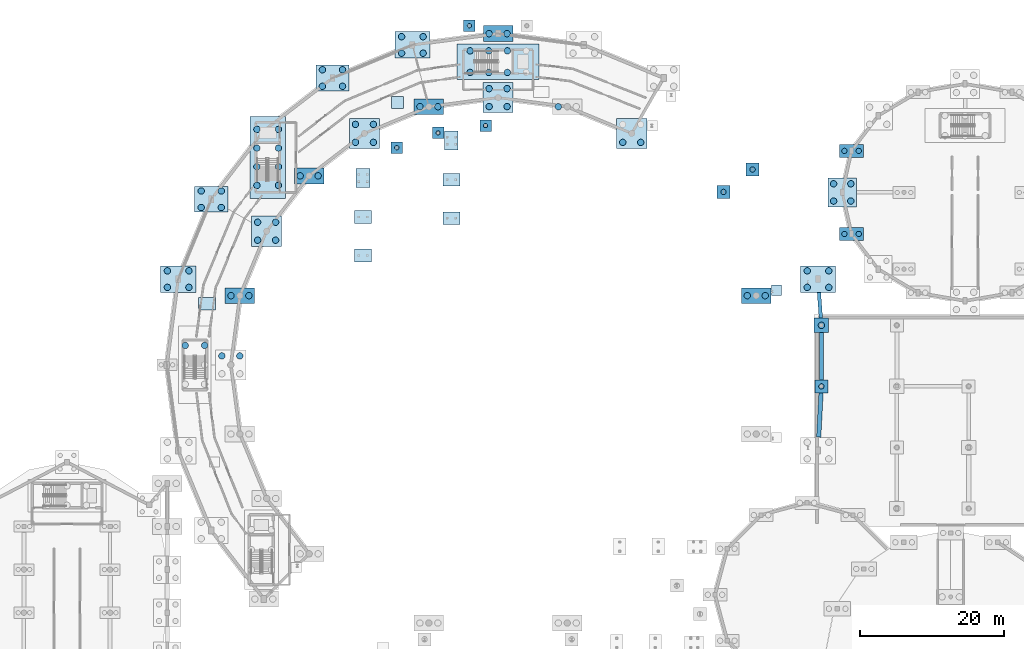
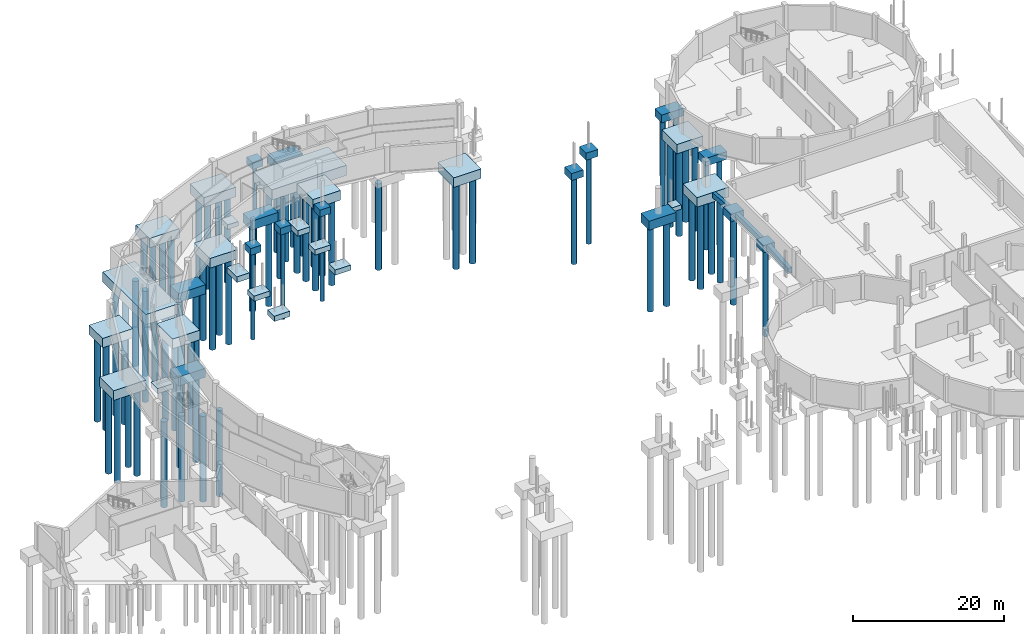
# One storey, part 3 of 43: 79 piles, 39 footings.
"""IFC4 building model written with IfcOpenShell, lengths in metres."""

from ifc_helpers import new_model, si_unit, direction, frame, origin, origin_2d, place, context, subcontext, project, spatial, rectangle, circle, extrude, material, material_profile, profile_set, type_object, element, save


model = new_model("IFC4")

# Units and contexts
model_context = context("Model", 3, precision=1e-05, world=origin(), true_north=direction((0.0, 1.0)))
body_context = subcontext(model_context, "Body", "Model", "MODEL_VIEW")
ifc_project = project(units=[si_unit("LENGTHUNIT", "METRE"), si_unit("AREAUNIT", "SQUARE_METRE"), si_unit("VOLUMEUNIT", "CUBIC_METRE"), si_unit("PLANEANGLEUNIT", "RADIAN"), si_unit("MASSUNIT", "GRAM", prefix="KILO")], contexts=[model_context])

# Site, building, storey
site_placement = place(None, origin())
site = spatial("IfcSite", under=ifc_project, at=site_placement, CompositionType="ELEMENT")
building_placement = place(site_placement, origin())
building = spatial("IfcBuilding", under=site, at=building_placement, Name="Vespera Passage Community Centre", CompositionType="ELEMENT")
storey_placement = place(building_placement, frame((0.0, 0.0, -4.199951171875)))
storey = spatial("IfcBuildingStorey", under=building, at=storey_placement, Name="B1", CompositionType="ELEMENT", Elevation=-4.199951171875)

# Footings
ifc_material_1 = material(Name="Concrete f'c 35 MPa", Category="concrete")
footing_type_1 = type_object("IfcFootingType", Name="FB-01", PredefinedType="FOOTING_BEAM", material=ifc_material_1)
footing_1_placement = place(storey_placement, frame((122.795654296875, 73.790771484375, -0.80029296875), z_axis=(0.0, 0.0, 1.0), x_axis=(0.073004949081, -0.997331578468, 0.0)))
element("IfcFooting", 1, at=footing_1_placement, inside=storey, type_object=footing_type_1, Name="Void-Formed Grade Beam 17", PredefinedType="FOOTING_BEAM", context=body_context, shape_type="SweptSolid", body=[
    extrude(rectangle(XDim=3.56103515625, YDim=0.5, at=origin_2d()), origin(), (0.0, 0.0, 1.0), 0.800048828125),
])
ifc_material_2 = material(Name="Concrete f'c 35 MPa", Category="concrete")
footing_type_2 = type_object("IfcFootingType", Name="FB-02", PredefinedType="FOOTING_BEAM", material=ifc_material_2)
footing_2_placement = place(storey_placement, frame((123.0, 66.699951171875, -0.85009765625), z_axis=(0.0, 0.0, 1.0), x_axis=(0.0, 1.0, 0.0)))
element("IfcFooting", 2, at=footing_2_placement, inside=storey, type_object=footing_type_2, Name="Void-Formed Grade Beam 18", PredefinedType="FOOTING_BEAM", context=body_context, shape_type="SweptSolid", body=[
    extrude(rectangle(XDim=6.570068359375, YDim=0.550048828125, at=origin_2d()), origin(), (0.0, 0.0, 1.0), 0.85009765625),
])
ifc_material_3 = material(Name="Concrete f'c 35 MPa", Category="concrete")
footing_type_3 = type_object("IfcFootingType", Name="FB-03", PredefinedType="FOOTING_BEAM", material=ifc_material_3)
footing_3_placement = place(storey_placement, frame((122.78955078125, 58.50927734375, -0.89990234375), z_axis=(0.0, 0.0, 1.0), x_axis=(-0.052639224922, -0.99861359494, 0.0)))
element("IfcFooting", 3, at=footing_3_placement, inside=storey, type_object=footing_type_3, Name="Void-Formed Grade Beam 19", PredefinedType="FOOTING_BEAM", context=body_context, shape_type="SweptSolid", body=[
    extrude(rectangle(XDim=6.16015625, YDim=0.60009765625, at=origin_2d()), origin(), (0.0, 0.0, 1.0), 0.89990234375),
])

# Piles
ifc_material_4 = material(Name="Concrete f'c 45 MPa", Category="concrete")
ifc_material_profile_1 = material_profile(ifc_material_4, circle(Radius=0.300048828125, at=origin_2d()), Name="PILE600DIA")
ifc_profile_set_1 = profile_set([ifc_material_profile_1], Name="Concrete f'c 45 MPa")
pile_type_1 = type_object("IfcPileType", Name="P-600", PredefinedType="BORED", material=ifc_profile_set_1)
for number, where, z_axis, x_axis, name in (
    (4, (76.254638671875, 98.80419921875, -1.0), (0.0, 0.0, -1.0), (1.0, 0.0, 0.0), "Column CTERR-C01 Bored Pile 1"),
    (5, (69.64990234375, 97.78759765625, -1.0), (0.0, 0.0, -1.0), (1.0, 0.0, 0.0), "Column CTERR-C02 Bored Pile 1"),
    (6, (63.90576171875, 95.725341796875, -1.0), (0.0, 0.0, -1.0), (1.0, 0.0, 0.0), "Column CTERR-C03 Bored Pile 1"),
    (7, (74.0, 112.699951171875, -1.0), (0.0, 0.0, -1.0), (1.0, 0.0, 0.0), "Column NP-P01 Bored Pile 1"),
):
    element("IfcPile", number, at=place(storey_placement, frame(where, z_axis=z_axis, x_axis=x_axis)), inside=storey, type_object=pile_type_1, Name=name, PredefinedType="BORED", context=body_context, shape_type="SweptSolid", body=[
        extrude(circle(Radius=0.300048828125, at=origin_2d()), origin(), (0.0, 0.0, 1.0), 14.300048828125),
    ])
ifc_material_5 = material(Name="Concrete f'c 45 MPa", Category="concrete")
ifc_material_profile_2 = material_profile(ifc_material_5, circle(Radius=0.375, at=origin_2d()), Name="PILE750DIA")
ifc_profile_set_2 = profile_set([ifc_material_profile_2], Name="Concrete f'c 45 MPa")
pile_type_2 = type_object("IfcPileType", Name="P-750", PredefinedType="BORED", material=ifc_profile_set_2)
for number, where, z_axis, x_axis, name in (
    (8, (126.20166015625, 95.278564453125, -1.150146484375), (0.0, 0.0, -1.0), (1.0, 0.0, 0.0), "Column V2-P08 Bored Pile 1"),
    (9, (128.20166015625, 95.278564453125, -1.150146484375), (0.0, 0.0, -1.0), (1.0, 0.0, 0.0), "Column V2-P08 Bored Pile 2"),
    (10, (126.20166015625, 83.721435546875, -1.150146484375), (0.0, 0.0, -1.0), (1.0, 0.0, 0.0), "Column V2-P10 Bored Pile 1"),
    (11, (128.20166015625, 83.721435546875, -1.150146484375), (0.0, 0.0, -1.0), (1.0, 0.0, 0.0), "Column V2-P10 Bored Pile 2"),
):
    element("IfcPile", number, at=place(storey_placement, frame(where, z_axis=z_axis, x_axis=x_axis)), inside=storey, type_object=pile_type_2, Name=name, PredefinedType="BORED", context=body_context, shape_type="SweptSolid", body=[
        extrude(circle(Radius=0.375, at=origin_2d()), origin(), (0.0, 0.0, 1.0), 14.14990234375),
    ])
for number, where, z_axis, x_axis, name in (
    (12, (109.377197265625, 89.576416015625, -1.050048828125), (0.0, 0.0, -1.0), (1.0, 0.0, 0.0), "Column TRANC-I025 Bored Pile 1"),
    (13, (113.423095703125, 92.68115234375, -1.050048828125), (0.0, 0.0, -1.0), (1.0, 0.0, 0.0), "Column TRANC-O025 Bored Pile 1"),
    (14, (123.0, 62.5, -1.050048828125), (0.0, 0.0, -1.0), (1.0, 0.0, 0.0), "Column GAR-C13 Bored Pile 1"),
):
    element("IfcPile", number, at=place(storey_placement, frame(where, z_axis=z_axis, x_axis=x_axis)), inside=storey, type_object=pile_type_2, Name=name, PredefinedType="BORED", context=body_context, shape_type="SweptSolid", body=[
        extrude(circle(Radius=0.375, at=origin_2d()), origin(), (0.0, 0.0, 1.0), 14.25),
    ])
ifc_material_6 = material(Name="Concrete f'c 45 MPa", Category="concrete")
ifc_material_profile_3 = material_profile(ifc_material_6, circle(Radius=0.449951171875, at=origin_2d()), Name="PILE900DIA")
ifc_profile_set_3 = profile_set([ifc_material_profile_3], Name="Concrete f'c 45 MPa")
pile_type_3 = type_object("IfcPileType", Name="P-900", PredefinedType="BORED", material=ifc_profile_set_3)
for number, where, z_axis, x_axis, name in (
    (15, (47.43310546875, 90.472900390625, -1.550048828125), (0.0, 0.0, -1.0), (1.0, 0.0, 0.0), "Core C1 Bored Pile 1"),
    (16, (47.43310546875, 93.072998046875, -1.550048828125), (0.0, 0.0, -1.0), (1.0, 0.0, 0.0), "Core C1 Bored Pile 2"),
    (17, (47.43310546875, 95.673095703125, -1.550048828125), (0.0, 0.0, -1.0), (1.0, 0.0, 0.0), "Core C1 Bored Pile 3"),
    (18, (47.43310546875, 98.27294921875, -1.550048828125), (0.0, 0.0, -1.0), (1.0, 0.0, 0.0), "Core C1 Bored Pile 4"),
    (19, (44.43310546875, 90.472900390625, -1.550048828125), (0.0, 0.0, -1.0), (1.0, 0.0, 0.0), "Core C1 Bored Pile 5"),
    (20, (44.43310546875, 93.072998046875, -1.550048828125), (0.0, 0.0, -1.0), (1.0, 0.0, 0.0), "Core C1 Bored Pile 6"),
    (21, (44.43310546875, 95.673095703125, -1.550048828125), (0.0, 0.0, -1.0), (1.0, 0.0, 0.0), "Core C1 Bored Pile 7"),
    (22, (44.43310546875, 98.27294921875, -1.550048828125), (0.0, 0.0, -1.0), (1.0, 0.0, 0.0), "Core C1 Bored Pile 8"),
):
    element("IfcPile", number, at=place(storey_placement, frame(where, z_axis=z_axis, x_axis=x_axis)), inside=storey, type_object=pile_type_3, Name=name, PredefinedType="BORED", context=body_context, shape_type="SweptSolid", body=[
        extrude(circle(Radius=0.449951171875, at=origin_2d()), origin(), (0.0, 0.0, 1.0), 13.75),
    ])
for number, where, z_axis, x_axis, name in (
    (23, (37.14990234375, 68.199951171875, -1.449951171875), (0.0, 0.0, -1.0), (1.0, 0.0, 0.0), "Core C2 Bored Pile 3"),
    (24, (34.449951171875, 68.199951171875, -1.449951171875), (0.0, 0.0, -1.0), (1.0, 0.0, 0.0), "Core C2 Bored Pile 6"),
):
    element("IfcPile", number, at=place(storey_placement, frame(where, z_axis=z_axis, x_axis=x_axis)), inside=storey, type_object=pile_type_3, Name=name, PredefinedType="BORED", context=body_context, shape_type="SweptSolid", body=[
        extrude(circle(Radius=0.449951171875, at=origin_2d()), origin(), (0.0, 0.0, 1.0), 13.85009765625),
    ])
for number, where, z_axis, x_axis, name in (
    (25, (74.10009765625, 106.199951171875, -1.550048828125), (0.0, 0.0, -1.0), (1.0, 0.0, 0.0), "Core C4 Bored Pile 1"),
    (26, (76.699951171875, 106.199951171875, -1.550048828125), (0.0, 0.0, -1.0), (1.0, 0.0, 0.0), "Core C4 Bored Pile 2"),
    (27, (79.300048828125, 106.199951171875, -1.550048828125), (0.0, 0.0, -1.0), (1.0, 0.0, 0.0), "Core C4 Bored Pile 3"),
    (28, (74.10009765625, 109.199951171875, -1.550048828125), (0.0, 0.0, -1.0), (1.0, 0.0, 0.0), "Core C4 Bored Pile 5"),
    (29, (76.699951171875, 109.199951171875, -1.550048828125), (0.0, 0.0, -1.0), (1.0, 0.0, 0.0), "Core C4 Bored Pile 6"),
    (30, (79.300048828125, 109.199951171875, -1.550048828125), (0.0, 0.0, -1.0), (1.0, 0.0, 0.0), "Core C4 Bored Pile 7"),
):
    element("IfcPile", number, at=place(storey_placement, frame(where, z_axis=z_axis, x_axis=x_axis)), inside=storey, type_object=pile_type_3, Name=name, PredefinedType="BORED", context=body_context, shape_type="SweptSolid", body=[
        extrude(circle(Radius=0.449951171875, at=origin_2d()), origin(), (0.0, 0.0, 1.0), 13.75),
    ])
for number, where, z_axis, x_axis, name in (
    (31, (124.699951171875, 88.300048828125, -1.400146484375), (0.0, 0.0, -1.0), (1.0, 0.0, 0.0), "Column V2-P09 Bored Pile 1"),
    (32, (127.10009765625, 88.300048828125, -1.400146484375), (0.0, 0.0, -1.0), (1.0, 0.0, 0.0), "Column V2-P09 Bored Pile 2"),
    (33, (124.699951171875, 90.699951171875, -1.400146484375), (0.0, 0.0, -1.0), (1.0, 0.0, 0.0), "Column V2-P09 Bored Pile 3"),
    (34, (127.10009765625, 90.699951171875, -1.400146484375), (0.0, 0.0, -1.0), (1.0, 0.0, 0.0), "Column V2-P09 Bored Pile 4"),
):
    element("IfcPile", number, at=place(storey_placement, frame(where, z_axis=z_axis, x_axis=x_axis)), inside=storey, type_object=pile_type_3, Name=name, PredefinedType="BORED", context=body_context, shape_type="SweptSolid", body=[
        extrude(circle(Radius=0.449951171875, at=origin_2d()), origin(), (0.0, 0.0, 1.0), 13.89990234375),
    ])
for number, where, z_axis, x_axis, name in (
    (35, (112.682373046875, 75.128173828125, -1.35009765625), (0.0, 0.0, -1.0), (1.0, 0.0, 0.0), "Column V4-I01 Bored Pile 1"),
    (36, (115.182373046875, 75.128173828125, -1.35009765625), (0.0, 0.0, -1.0), (1.0, 0.0, 0.0), "Column V4-I01 Bored Pile 2"),
):
    element("IfcPile", number, at=place(storey_placement, frame(where, z_axis=z_axis, x_axis=x_axis)), inside=storey, type_object=pile_type_3, Name=name, PredefinedType="BORED", context=body_context, shape_type="SweptSolid", body=[
        extrude(circle(Radius=0.449951171875, at=origin_2d()), origin(), (0.0, 0.0, 1.0), 13.949951171875),
    ])
for number, where, z_axis, x_axis, name in (
    (37, (95.35009765625, 96.466064453125, -1.449951171875), (0.0, 0.0, -1.0), (1.0, 0.0, 0.0), "Column V4-I04 Bored Pile 1"),
    (38, (97.85009765625, 96.466064453125, -1.449951171875), (0.0, 0.0, -1.0), (1.0, 0.0, 0.0), "Column V4-I04 Bored Pile 2"),
):
    element("IfcPile", number, at=place(storey_placement, frame(where, z_axis=z_axis, x_axis=x_axis)), inside=storey, type_object=pile_type_3, Name=name, PredefinedType="BORED", context=body_context, shape_type="SweptSolid", body=[
        extrude(circle(Radius=0.449951171875, at=origin_2d()), origin(), (0.0, 0.0, 1.0), 13.85009765625),
    ])
pile_1_placement = place(storey_placement, frame((86.378173828125, 101.432373046875, -1.35009765625), z_axis=(0.0, 0.0, -1.0), x_axis=(1.0, 0.0, 0.0)))
element("IfcPile", 39, at=pile_1_placement, inside=storey, type_object=pile_type_3, Name="Column V4-I05 Bored Pile 1", PredefinedType="BORED", context=body_context, shape_type="SweptSolid", body=[
    extrude(circle(Radius=0.449951171875, at=origin_2d()), origin(), (0.0, 0.0, 1.0), 13.949951171875),
])
for number, where, z_axis, x_axis, name in (
    (40, (76.75, 101.449951171875, -1.449951171875), (0.0, 0.0, -1.0), (1.0, 0.0, 0.0), "Column V4-I06 Bored Pile 1"),
    (41, (79.25, 101.449951171875, -1.449951171875), (0.0, 0.0, -1.0), (1.0, 0.0, 0.0), "Column V4-I06 Bored Pile 2"),
    (42, (76.75, 103.949951171875, -1.449951171875), (0.0, 0.0, -1.0), (1.0, 0.0, 0.0), "Column V4-I06 Bored Pile 3"),
    (43, (79.25, 103.949951171875, -1.449951171875), (0.0, 0.0, -1.0), (1.0, 0.0, 0.0), "Column V4-I06 Bored Pile 4"),
):
    element("IfcPile", number, at=place(storey_placement, frame(where, z_axis=z_axis, x_axis=x_axis)), inside=storey, type_object=pile_type_3, Name=name, PredefinedType="BORED", context=body_context, shape_type="SweptSolid", body=[
        extrude(circle(Radius=0.449951171875, at=origin_2d()), origin(), (0.0, 0.0, 1.0), 13.85009765625),
    ])
for number, where, z_axis, x_axis, name in (
    (44, (67.121826171875, 101.432373046875, -1.35009765625), (0.0, 0.0, -1.0), (1.0, 0.0, 0.0), "Column V4-I07 Bored Pile 1"),
    (45, (69.621826171875, 101.432373046875, -1.35009765625), (0.0, 0.0, -1.0), (1.0, 0.0, 0.0), "Column V4-I07 Bored Pile 2"),
):
    element("IfcPile", number, at=place(storey_placement, frame(where, z_axis=z_axis, x_axis=x_axis)), inside=storey, type_object=pile_type_3, Name=name, PredefinedType="BORED", context=body_context, shape_type="SweptSolid", body=[
        extrude(circle(Radius=0.449951171875, at=origin_2d()), origin(), (0.0, 0.0, 1.0), 13.949951171875),
    ])
for number, where, z_axis, x_axis, name in (
    (46, (58.14990234375, 96.466064453125, -1.449951171875), (0.0, 0.0, -1.0), (1.0, 0.0, 0.0), "Column V4-I08 Bored Pile 1"),
    (47, (60.64990234375, 96.466064453125, -1.449951171875), (0.0, 0.0, -1.0), (1.0, 0.0, 0.0), "Column V4-I08 Bored Pile 2"),
    (48, (58.14990234375, 98.966064453125, -1.449951171875), (0.0, 0.0, -1.0), (1.0, 0.0, 0.0), "Column V4-I08 Bored Pile 3"),
    (49, (60.64990234375, 98.966064453125, -1.449951171875), (0.0, 0.0, -1.0), (1.0, 0.0, 0.0), "Column V4-I08 Bored Pile 4"),
):
    element("IfcPile", number, at=place(storey_placement, frame(where, z_axis=z_axis, x_axis=x_axis)), inside=storey, type_object=pile_type_3, Name=name, PredefinedType="BORED", context=body_context, shape_type="SweptSolid", body=[
        extrude(circle(Radius=0.449951171875, at=origin_2d()), origin(), (0.0, 0.0, 1.0), 13.85009765625),
    ])
for number, where, z_axis, x_axis, name in (
    (50, (50.445556640625, 91.804443359375, -1.35009765625), (0.0, 0.0, -1.0), (1.0, 0.0, 0.0), "Column V4-I09 Bored Pile 1"),
    (51, (52.945556640625, 91.804443359375, -1.35009765625), (0.0, 0.0, -1.0), (1.0, 0.0, 0.0), "Column V4-I09 Bored Pile 2"),
):
    element("IfcPile", number, at=place(storey_placement, frame(where, z_axis=z_axis, x_axis=x_axis)), inside=storey, type_object=pile_type_3, Name=name, PredefinedType="BORED", context=body_context, shape_type="SweptSolid", body=[
        extrude(circle(Radius=0.449951171875, at=origin_2d()), origin(), (0.0, 0.0, 1.0), 13.949951171875),
    ])
for number, where, z_axis, x_axis, name in (
    (52, (44.533935546875, 82.85009765625, -1.449951171875), (0.0, 0.0, -1.0), (1.0, 0.0, 0.0), "Column V4-I10 Bored Pile 1"),
    (53, (47.033935546875, 82.85009765625, -1.449951171875), (0.0, 0.0, -1.0), (1.0, 0.0, 0.0), "Column V4-I10 Bored Pile 2"),
    (54, (44.533935546875, 85.35009765625, -1.449951171875), (0.0, 0.0, -1.0), (1.0, 0.0, 0.0), "Column V4-I10 Bored Pile 3"),
    (55, (47.033935546875, 85.35009765625, -1.449951171875), (0.0, 0.0, -1.0), (1.0, 0.0, 0.0), "Column V4-I10 Bored Pile 4"),
):
    element("IfcPile", number, at=place(storey_placement, frame(where, z_axis=z_axis, x_axis=x_axis)), inside=storey, type_object=pile_type_3, Name=name, PredefinedType="BORED", context=body_context, shape_type="SweptSolid", body=[
        extrude(circle(Radius=0.449951171875, at=origin_2d()), origin(), (0.0, 0.0, 1.0), 13.85009765625),
    ])
for number, where, z_axis, x_axis, name in (
    (56, (40.817626953125, 75.128173828125, -1.35009765625), (0.0, 0.0, -1.0), (1.0, 0.0, 0.0), "Column V4-I11 Bored Pile 1"),
    (57, (43.317626953125, 75.128173828125, -1.35009765625), (0.0, 0.0, -1.0), (1.0, 0.0, 0.0), "Column V4-I11 Bored Pile 2"),
):
    element("IfcPile", number, at=place(storey_placement, frame(where, z_axis=z_axis, x_axis=x_axis)), inside=storey, type_object=pile_type_3, Name=name, PredefinedType="BORED", context=body_context, shape_type="SweptSolid", body=[
        extrude(circle(Radius=0.449951171875, at=origin_2d()), origin(), (0.0, 0.0, 1.0), 13.949951171875),
    ])
for number, where, z_axis, x_axis, name in (
    (58, (39.550048828125, 66.75, -1.449951171875), (0.0, 0.0, -1.0), (1.0, 0.0, 0.0), "Column V4-I12 Bored Pile 3"),
    (59, (42.050048828125, 66.75, -1.449951171875), (0.0, 0.0, -1.0), (1.0, 0.0, 0.0), "Column V4-I12 Bored Pile 4"),
    (60, (121.029296875, 76.281494140625, -1.449951171875), (0.0, 0.0, -1.0), (1.0, 0.0, 0.0), "Column V4-O01 Bored Pile 1"),
    (61, (124.029296875, 76.281494140625, -1.449951171875), (0.0, 0.0, -1.0), (1.0, 0.0, 0.0), "Column V4-O01 Bored Pile 2"),
    (62, (121.029296875, 78.58154296875, -1.449951171875), (0.0, 0.0, -1.0), (1.0, 0.0, 0.0), "Column V4-O01 Bored Pile 3"),
    (63, (124.029296875, 78.58154296875, -1.449951171875), (0.0, 0.0, -1.0), (1.0, 0.0, 0.0), "Column V4-O01 Bored Pile 4"),
):
    element("IfcPile", number, at=place(storey_placement, frame(where, z_axis=z_axis, x_axis=x_axis)), inside=storey, type_object=pile_type_3, Name=name, PredefinedType="BORED", context=body_context, shape_type="SweptSolid", body=[
        extrude(circle(Radius=0.449951171875, at=origin_2d()), origin(), (0.0, 0.0, 1.0), 13.85009765625),
    ])
for number, where, z_axis, x_axis, name in (
    (64, (76.75, 111.60009765625, -1.35009765625), (0.0, 0.0, -1.0), (1.0, 0.0, 0.0), "Column V4-O06 Bored Pile 1"),
    (65, (79.25, 111.60009765625, -1.35009765625), (0.0, 0.0, -1.0), (1.0, 0.0, 0.0), "Column V4-O06 Bored Pile 2"),
):
    element("IfcPile", number, at=place(storey_placement, frame(where, z_axis=z_axis, x_axis=x_axis)), inside=storey, type_object=pile_type_3, Name=name, PredefinedType="BORED", context=body_context, shape_type="SweptSolid", body=[
        extrude(circle(Radius=0.449951171875, at=origin_2d()), origin(), (0.0, 0.0, 1.0), 13.949951171875),
    ])
for number, where, z_axis, x_axis, name in (
    (66, (64.568359375, 108.879150390625, -1.449951171875), (0.0, 0.0, -1.0), (1.0, 0.0, 0.0), "Column V4-O07 Bored Pile 1"),
    (67, (67.568359375, 108.879150390625, -1.449951171875), (0.0, 0.0, -1.0), (1.0, 0.0, 0.0), "Column V4-O07 Bored Pile 2"),
    (68, (64.568359375, 111.17919921875, -1.449951171875), (0.0, 0.0, -1.0), (1.0, 0.0, 0.0), "Column V4-O07 Bored Pile 3"),
    (69, (67.568359375, 111.17919921875, -1.449951171875), (0.0, 0.0, -1.0), (1.0, 0.0, 0.0), "Column V4-O07 Bored Pile 4"),
):
    element("IfcPile", number, at=place(storey_placement, frame(where, z_axis=z_axis, x_axis=x_axis)), inside=storey, type_object=pile_type_3, Name=name, PredefinedType="BORED", context=body_context, shape_type="SweptSolid", body=[
        extrude(circle(Radius=0.449951171875, at=origin_2d()), origin(), (0.0, 0.0, 1.0), 13.85009765625),
    ])
for number, where, z_axis, x_axis, name in (
    (70, (53.550048828125, 104.273681640625, -1.400146484375), (0.0, 0.0, -1.0), (1.0, 0.0, 0.0), "Column V4-O08 Bored Pile 1"),
    (71, (56.35009765625, 104.273681640625, -1.400146484375), (0.0, 0.0, -1.0), (1.0, 0.0, 0.0), "Column V4-O08 Bored Pile 2"),
    (72, (53.550048828125, 106.57373046875, -1.400146484375), (0.0, 0.0, -1.0), (1.0, 0.0, 0.0), "Column V4-O08 Bored Pile 3"),
    (73, (56.35009765625, 106.57373046875, -1.400146484375), (0.0, 0.0, -1.0), (1.0, 0.0, 0.0), "Column V4-O08 Bored Pile 4"),
    (74, (36.67626953125, 87.39990234375, -1.400146484375), (0.0, 0.0, -1.0), (1.0, 0.0, 0.0), "Column V4-O10 Bored Pile 1"),
    (75, (39.476318359375, 87.39990234375, -1.400146484375), (0.0, 0.0, -1.0), (1.0, 0.0, 0.0), "Column V4-O10 Bored Pile 2"),
    (76, (36.67626953125, 89.699951171875, -1.400146484375), (0.0, 0.0, -1.0), (1.0, 0.0, 0.0), "Column V4-O10 Bored Pile 3"),
    (77, (39.476318359375, 89.699951171875, -1.400146484375), (0.0, 0.0, -1.0), (1.0, 0.0, 0.0), "Column V4-O10 Bored Pile 4"),
):
    element("IfcPile", number, at=place(storey_placement, frame(where, z_axis=z_axis, x_axis=x_axis)), inside=storey, type_object=pile_type_3, Name=name, PredefinedType="BORED", context=body_context, shape_type="SweptSolid", body=[
        extrude(circle(Radius=0.449951171875, at=origin_2d()), origin(), (0.0, 0.0, 1.0), 13.89990234375),
    ])
for number, where, z_axis, x_axis, name in (
    (78, (31.970703125, 76.281494140625, -1.449951171875), (0.0, 0.0, -1.0), (1.0, 0.0, 0.0), "Column V4-O11 Bored Pile 1"),
    (79, (34.970703125, 76.281494140625, -1.449951171875), (0.0, 0.0, -1.0), (1.0, 0.0, 0.0), "Column V4-O11 Bored Pile 2"),
    (80, (31.970703125, 78.58154296875, -1.449951171875), (0.0, 0.0, -1.0), (1.0, 0.0, 0.0), "Column V4-O11 Bored Pile 3"),
    (81, (34.970703125, 78.58154296875, -1.449951171875), (0.0, 0.0, -1.0), (1.0, 0.0, 0.0), "Column V4-O11 Bored Pile 4"),
):
    element("IfcPile", number, at=place(storey_placement, frame(where, z_axis=z_axis, x_axis=x_axis)), inside=storey, type_object=pile_type_3, Name=name, PredefinedType="BORED", context=body_context, shape_type="SweptSolid", body=[
        extrude(circle(Radius=0.449951171875, at=origin_2d()), origin(), (0.0, 0.0, 1.0), 13.85009765625),
    ])
pile_2_placement = place(storey_placement, frame((123.0, 71.0, -1.10009765625), z_axis=(0.0, 0.0, -1.0), x_axis=(1.0, 0.0, 0.0)))
element("IfcPile", 82, at=pile_2_placement, inside=storey, type_object=pile_type_3, Name="Column GAR-C14 Bored Pile 1", PredefinedType="BORED", context=body_context, shape_type="SweptSolid", body=[
    extrude(circle(Radius=0.449951171875, at=origin_2d()), origin(), (0.0, 0.0, 1.0), 14.199951171875),
])

# Footings
ifc_material_7 = material(Name="Concrete f'c 35 MPa", Category="concrete")
footing_type_4 = type_object("IfcFootingType", Name="PC-01", PredefinedType="PILE_CAP", material=ifc_material_7)
for number, where, z_axis, x_axis, name in (
    (83, (76.254638671875, 98.80419921875, -1.10009765625), (0.0, 0.0, 1.0), (1.0, 0.0, 0.0), "Column CTERR-C01 Pile Cap"),
    (84, (69.64990234375, 97.78759765625, -1.10009765625), (0.0, 0.0, 1.0), (1.0, 0.0, 0.0), "Column CTERR-C02 Pile Cap"),
    (85, (63.90576171875, 95.725341796875, -1.10009765625), (0.0, 0.0, 1.0), (1.0, 0.0, 0.0), "Column CTERR-C03 Pile Cap"),
    (86, (74.0, 112.699951171875, -1.10009765625), (0.0, 0.0, 1.0), (1.0, 0.0, 0.0), "Column NP-P01 Pile Cap"),
):
    element("IfcFooting", number, at=place(storey_placement, frame(where, z_axis=z_axis, x_axis=x_axis)), inside=storey, type_object=footing_type_4, Name=name, PredefinedType="PILE_CAP", context=body_context, shape_type="SweptSolid", body=[
        extrude(rectangle(XDim=1.60009765625, YDim=1.60009765625, at=origin_2d()), origin(), (0.0, 0.0, 1.0), 1.10009765625),
    ])
ifc_material_8 = material(Name="Concrete f'c 35 MPa", Category="concrete")
footing_type_5 = type_object("IfcFootingType", Name="PC-02", PredefinedType="PILE_CAP", material=ifc_material_8)
for number, where, z_axis, x_axis, name in (
    (87, (109.377197265625, 89.576416015625, -1.14990234375), (0.0, 0.0, 1.0), (1.0, 0.0, 0.0), "Column TRANC-I025 Pile Cap"),
    (88, (113.423095703125, 92.68115234375, -1.14990234375), (0.0, 0.0, 1.0), (1.0, 0.0, 0.0), "Column TRANC-O025 Pile Cap"),
    (89, (123.0, 62.5, -1.14990234375), (0.0, 0.0, 1.0), (1.0, 0.0, 0.0), "Column GAR-C13 Pile Cap"),
):
    element("IfcFooting", number, at=place(storey_placement, frame(where, z_axis=z_axis, x_axis=x_axis)), inside=storey, type_object=footing_type_5, Name=name, PredefinedType="PILE_CAP", context=body_context, shape_type="SweptSolid", body=[
        extrude(rectangle(XDim=1.800048828125, YDim=1.800048828125, at=origin_2d()), origin(), (0.0, 0.0, 1.0), 1.14990234375),
    ])
ifc_material_9 = material(Name="Concrete f'c 35 MPa", Category="concrete")
footing_type_6 = type_object("IfcFootingType", Name="PC-03", PredefinedType="PILE_CAP", material=ifc_material_9)
footing_4_placement = place(storey_placement, frame((123.0, 71.0, -1.2001953125), z_axis=(0.0, 0.0, 1.0), x_axis=(1.0, 0.0, 0.0)))
element("IfcFooting", 90, at=footing_4_placement, inside=storey, type_object=footing_type_6, Name="Column GAR-C14 Pile Cap", PredefinedType="PILE_CAP", context=body_context, shape_type="SweptSolid", body=[
    extrude(rectangle(XDim=2.0, YDim=2.0, at=origin_2d()), origin(), (0.0, 0.0, 1.0), 1.199951171875),
])
ifc_material_10 = material(Name="Concrete f'c 35 MPa", Category="concrete")
footing_type_7 = type_object("IfcFootingType", Name="PC-06", PredefinedType="PILE_CAP", material=ifc_material_10)
for number, where, z_axis, x_axis, name in (
    (91, (127.20166015625, 95.278564453125, -1.25), (0.0, 0.0, 1.0), (1.0, 0.0, 0.0), "Column V2-P08 Pile Cap"),
    (92, (127.20166015625, 83.721435546875, -1.25), (0.0, 0.0, 1.0), (1.0, 0.0, 0.0), "Column V2-P10 Pile Cap"),
):
    element("IfcFooting", number, at=place(storey_placement, frame(where, z_axis=z_axis, x_axis=x_axis)), inside=storey, type_object=footing_type_7, Name=name, PredefinedType="PILE_CAP", context=body_context, shape_type="SweptSolid", body=[
        extrude(rectangle(XDim=3.300048828125, YDim=1.800048828125, at=origin_2d()), origin(), (0.0, 0.0, 1.0), 1.25),
    ])
ifc_material_11 = material(Name="Concrete f'c 35 MPa", Category="concrete")
footing_type_8 = type_object("IfcFootingType", Name="PC-10", PredefinedType="PILE_CAP", material=ifc_material_11)
for number, where, z_axis, x_axis, name in (
    (93, (113.932373046875, 75.128173828125, -1.4501953125), (0.0, 0.0, 1.0), (1.0, 0.0, 0.0), "Column V4-I01 Pile Cap"),
    (94, (68.371826171875, 101.432373046875, -1.4501953125), (0.0, 0.0, 1.0), (1.0, 0.0, 0.0), "Column V4-I07 Pile Cap"),
    (95, (51.695556640625, 91.804443359375, -1.4501953125), (0.0, 0.0, 1.0), (1.0, 0.0, 0.0), "Column V4-I09 Pile Cap"),
    (96, (42.067626953125, 75.128173828125, -1.4501953125), (0.0, 0.0, 1.0), (1.0, 0.0, 0.0), "Column V4-I11 Pile Cap"),
    (97, (78.0, 111.60009765625, -1.4501953125), (0.0, 0.0, 1.0), (1.0, 0.0, 0.0), "Column V4-O06 Pile Cap"),
):
    element("IfcFooting", number, at=place(storey_placement, frame(where, z_axis=z_axis, x_axis=x_axis)), inside=storey, type_object=footing_type_8, Name=name, PredefinedType="PILE_CAP", context=body_context, shape_type="SweptSolid", body=[
        extrude(rectangle(XDim=4.10009765625, YDim=2.199951171875, at=origin_2d()), origin(), (0.0, 0.0, 1.0), 1.449951171875),
    ])
ifc_material_12 = material(Name="Concrete f'c 35 MPa", Category="concrete")
footing_type_9 = type_object("IfcFootingType", Name="PC-15", PredefinedType="PILE_CAP", material=ifc_material_12)
footing_5_placement = place(storey_placement, frame((125.89990234375, 89.5, -1.5), z_axis=(0.0, 0.0, 1.0), x_axis=(1.0, 0.0, 0.0)))
element("IfcFooting", 98, at=footing_5_placement, inside=storey, type_object=footing_type_9, Name="Column V2-P09 Pile Cap", PredefinedType="PILE_CAP", context=body_context, shape_type="SweptSolid", body=[
    extrude(rectangle(XDim=4.0, YDim=4.0, at=origin_2d()), origin(), (0.0, 0.0, 1.0), 1.5),
])
ifc_material_13 = material(Name="Concrete f'c 35 MPa", Category="concrete")
footing_type_10 = type_object("IfcFootingType", Name="PC-16", PredefinedType="PILE_CAP", material=ifc_material_13)
for number, where, z_axis, x_axis, name in (
    (99, (96.60009765625, 97.716064453125, -1.55029296875), (0.0, 0.0, 1.0), (1.0, 0.0, 0.0), "Column V4-I04 Pile Cap"),
    (100, (78.0, 102.699951171875, -1.55029296875), (0.0, 0.0, 1.0), (1.0, 0.0, 0.0), "Column V4-I06 Pile Cap"),
    (101, (59.39990234375, 97.716064453125, -1.55029296875), (0.0, 0.0, 1.0), (1.0, 0.0, 0.0), "Column V4-I08 Pile Cap"),
    (102, (45.783935546875, 84.10009765625, -1.55029296875), (0.0, 0.0, 1.0), (1.0, 0.0, 0.0), "Column V4-I10 Pile Cap"),
):
    element("IfcFooting", number, at=place(storey_placement, frame(where, z_axis=z_axis, x_axis=x_axis)), inside=storey, type_object=footing_type_10, Name=name, PredefinedType="PILE_CAP", context=body_context, shape_type="SweptSolid", body=[
        extrude(rectangle(XDim=4.199951171875, YDim=4.199951171875, at=origin_2d()), origin(), (0.0, 0.0, 1.0), 1.550048828125),
    ])
ifc_material_14 = material(Name="Concrete f'c 35 MPa", Category="concrete")
footing_type_11 = type_object("IfcFootingType", Name="PC-18", PredefinedType="PILE_CAP", material=ifc_material_14)
for number, where, z_axis, x_axis, name in (
    (103, (54.949951171875, 105.423828125, -1.5), (0.0, 0.0, 1.0), (1.0, 0.0, 0.0), "Column V4-O08 Pile Cap"),
    (104, (38.076171875, 88.550048828125, -1.5), (0.0, 0.0, 1.0), (1.0, 0.0, 0.0), "Column V4-O10 Pile Cap"),
):
    element("IfcFooting", number, at=place(storey_placement, frame(where, z_axis=z_axis, x_axis=x_axis)), inside=storey, type_object=footing_type_11, Name=name, PredefinedType="PILE_CAP", context=body_context, shape_type="SweptSolid", body=[
        extrude(rectangle(XDim=4.60009765625, YDim=3.60009765625, at=origin_2d()), origin(), (0.0, 0.0, 1.0), 1.5),
    ])
ifc_material_15 = material(Name="Concrete f'c 35 MPa", Category="concrete")
footing_type_12 = type_object("IfcFootingType", Name="PC-19", PredefinedType="PILE_CAP", material=ifc_material_15)
for number, where, z_axis, x_axis, name in (
    (105, (122.529296875, 77.431640625, -1.55029296875), (0.0, 0.0, 1.0), (1.0, 0.0, 0.0), "Column V4-O01 Pile Cap"),
    (106, (66.068359375, 110.029296875, -1.55029296875), (0.0, 0.0, 1.0), (1.0, 0.0, 0.0), "Column V4-O07 Pile Cap"),
    (107, (33.470703125, 77.431640625, -1.55029296875), (0.0, 0.0, 1.0), (1.0, 0.0, 0.0), "Column V4-O11 Pile Cap"),
):
    element("IfcFooting", number, at=place(storey_placement, frame(where, z_axis=z_axis, x_axis=x_axis)), inside=storey, type_object=footing_type_12, Name=name, PredefinedType="PILE_CAP", context=body_context, shape_type="SweptSolid", body=[
        extrude(rectangle(XDim=4.89990234375, YDim=3.699951171875, at=origin_2d()), origin(), (0.0, 0.0, 1.0), 1.550048828125),
    ])
ifc_material_16 = material(Name="Concrete f'c 35 MPa", Category="concrete")
footing_type_13 = type_object("IfcFootingType", Name="PC-24", PredefinedType="PILE_CAP", material=ifc_material_16)
for number, where, z_axis, x_axis, name in (
    (108, (45.93310546875, 94.373046875, -1.64990234375), (0.0, 0.0, 1.0), (0.0, 1.0, 0.0), "Core C1 Pile Cap"),
    (109, (78.0, 107.699951171875, -1.64990234375), (0.0, 0.0, 1.0), (1.0, 0.0, 0.0), "Core C4 Pile Cap"),
):
    element("IfcFooting", number, at=place(storey_placement, frame(where, z_axis=z_axis, x_axis=x_axis)), inside=storey, type_object=footing_type_13, Name=name, PredefinedType="PILE_CAP", context=body_context, shape_type="SweptSolid", body=[
        extrude(rectangle(XDim=11.39990234375, YDim=4.89990234375, at=origin_2d()), origin(), (0.0, 0.0, 1.0), 1.64990234375),
    ])
ifc_material_17 = material(Name="Concrete f'c 35 MPa", Category="concrete")
footing_type_14 = type_object("IfcFootingType", Name="PF-01", PredefinedType="PAD_FOOTING", material=ifc_material_17)
footing_6_placement = place(storey_placement, frame((116.7626953125, 75.886474609375, -0.7001953125), z_axis=(0.0, 0.0, 1.0), x_axis=(1.0, 0.0, 0.0)))
element("IfcFooting", 110, at=footing_6_placement, inside=storey, type_object=footing_type_14, Name="Column TRANC-I010 Pad Footing", PredefinedType="PAD_FOOTING", context=body_context, shape_type="SweptSolid", body=[
    extrude(rectangle(XDim=1.39990234375, YDim=1.39990234375, at=origin_2d()), origin(), (0.0, 0.0, 1.0), 0.699951171875),
])
ifc_material_18 = material(Name="Concrete f'c 35 MPa", Category="concrete")
footing_type_15 = type_object("IfcFootingType", Name="PF-02", PredefinedType="PAD_FOOTING", material=ifc_material_18)
footing_7_placement = place(storey_placement, frame((64.0, 102.0, -0.75), z_axis=(0.0, 0.0, 1.0), x_axis=(1.0, 0.0, 0.0)))
element("IfcFooting", 111, at=footing_7_placement, inside=storey, type_object=footing_type_15, Name="B1 Equipment Pad Footing 1", PredefinedType="PAD_FOOTING", context=body_context, shape_type="SweptSolid", body=[
    extrude(rectangle(XDim=1.64990234375, YDim=1.64990234375, at=origin_2d()), origin(), (0.0, 0.0, 1.0), 0.75),
])
ifc_material_19 = material(Name="Concrete f'c 35 MPa", Category="concrete")
footing_type_16 = type_object("IfcFootingType", Name="PF-05", PredefinedType="PAD_FOOTING", material=ifc_material_19)
for number, where, z_axis, x_axis, name in (
    (112, (37.5, 74.0, -0.85009765625), (0.0, 0.0, 1.0), (1.0, 0.0, 0.0), "B1 Equipment Pad Footing 3"),
    (113, (71.5, 85.925048828125, -0.85009765625), (0.0, 0.0, 1.0), (-1.0, 0.0, 0.0), "ST-CRT-03 B Combined Pad Footing"),
    (114, (71.5, 91.27490234375, -0.85009765625), (0.0, 0.0, 1.0), (-1.0, 0.0, 0.0), "ST-CRT-03 M Combined Pad Footing"),
    (115, (59.199951171875, 80.72509765625, -0.85009765625), (0.0, 0.0, 1.0), (-1.0, 0.0, 0.0), "ST-CRT-04 B Combined Pad Footing"),
    (116, (59.199951171875, 86.074951171875, -0.85009765625), (0.0, 0.0, 1.0), (-1.0, 0.0, 0.0), "ST-CRT-04 M Combined Pad Footing"),
):
    element("IfcFooting", number, at=place(storey_placement, frame(where, z_axis=z_axis, x_axis=x_axis)), inside=storey, type_object=footing_type_16, Name=name, PredefinedType="PAD_FOOTING", context=body_context, shape_type="SweptSolid", body=[
        extrude(rectangle(XDim=2.39990234375, YDim=1.75, at=origin_2d()), origin(), (0.0, 0.0, 1.0), 0.85009765625),
    ])
ifc_material_20 = material(Name="Concrete f'c 35 MPa", Category="concrete")
footing_type_17 = type_object("IfcFootingType", Name="PF-06", PredefinedType="PAD_FOOTING", material=ifc_material_20)
for number, where, z_axis, x_axis, name in (
    (117, (71.5, 96.699951171875, -0.89990234375), (0.0, 0.0, 1.0), (0.0, 1.0, 0.0), "ST-CRT-03 T Combined Pad Footing"),
    (118, (59.199951171875, 91.5, -0.89990234375), (0.0, 0.0, 1.0), (0.0, 1.0, 0.0), "ST-CRT-04 T Combined Pad Footing"),
):
    element("IfcFooting", number, at=place(storey_placement, frame(where, z_axis=z_axis, x_axis=x_axis)), inside=storey, type_object=footing_type_17, Name=name, PredefinedType="PAD_FOOTING", context=body_context, shape_type="SweptSolid", body=[
        extrude(rectangle(XDim=2.64990234375, YDim=1.89990234375, at=origin_2d()), origin(), (0.0, 0.0, 1.0), 0.89990234375),
    ])

save(model, "model.ifc")
